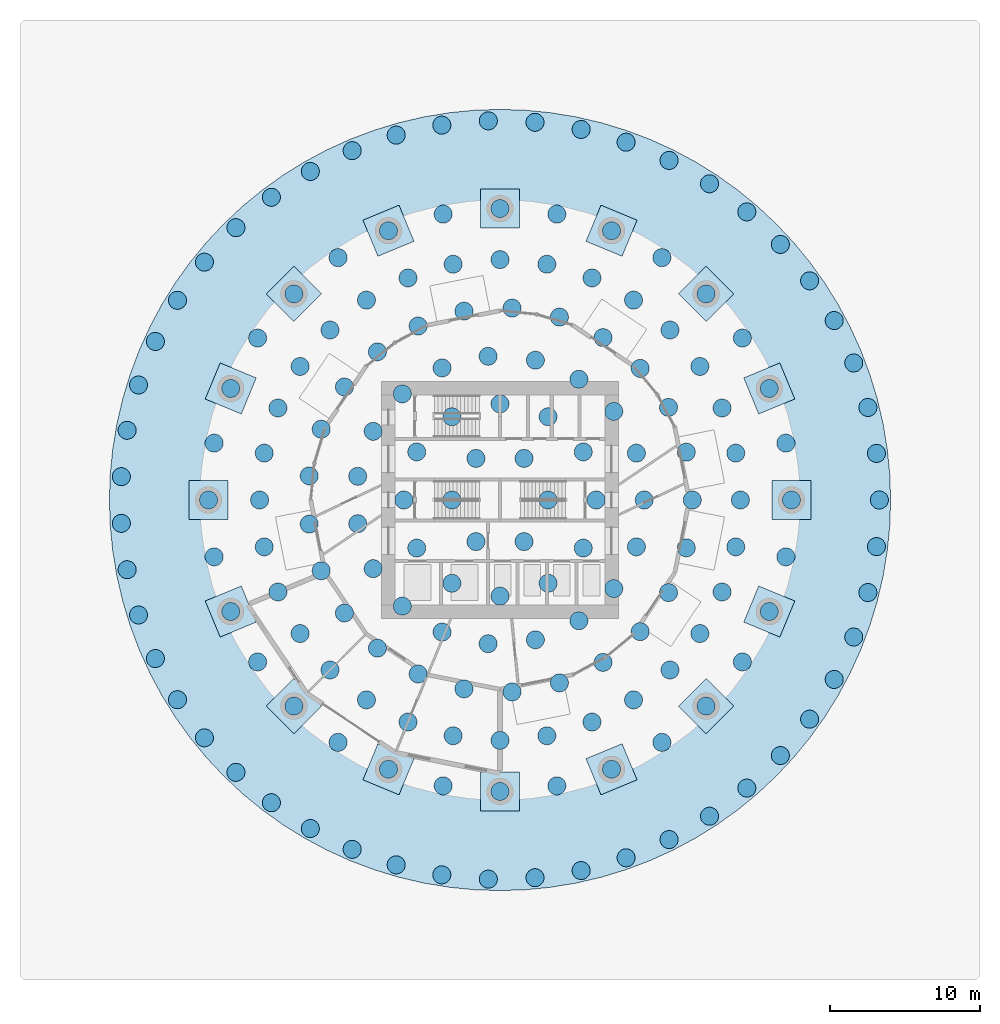
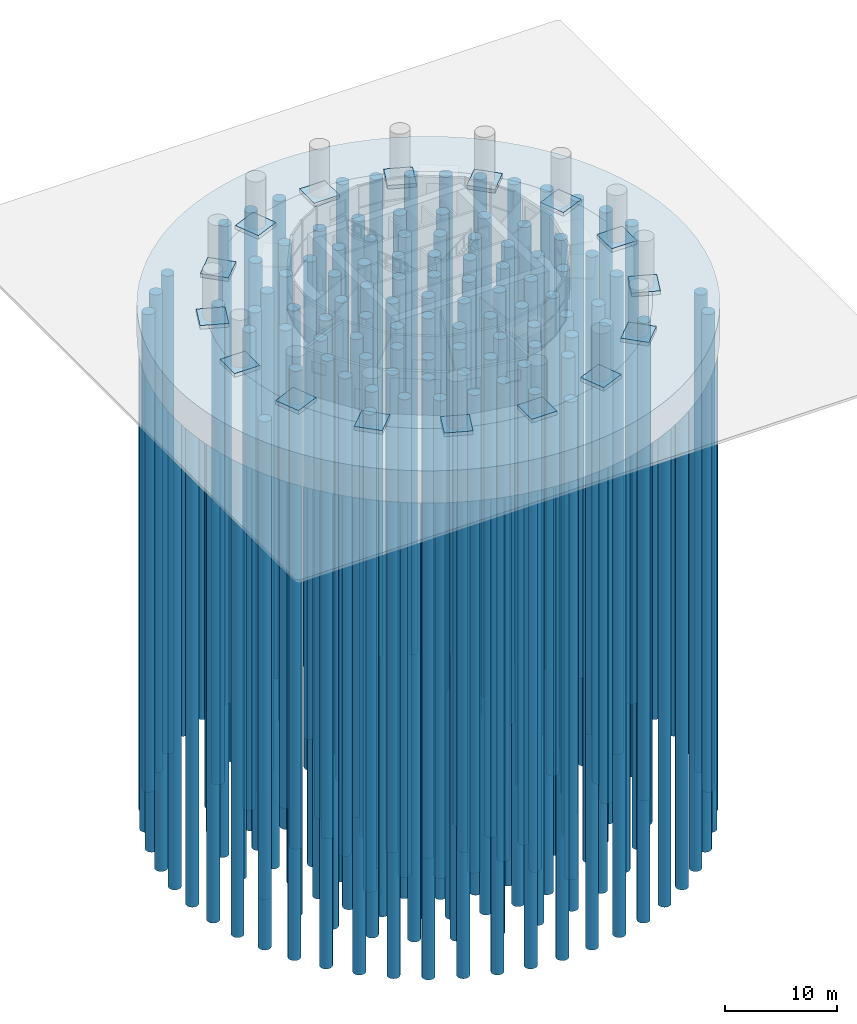
# One storey, part 1 of 10: 177 piles, 17 footings.
"""IFC4 building model written with IfcOpenShell, lengths in metres."""

from ifc_helpers import new_model, si_unit, direction, frame, origin, origin_2d, place, context, subcontext, project, spatial, polyline, circle, outline, extrude, material, material_profile, profile_set, type_object, element, save


model = new_model("IFC4")

# Units and contexts
model_context = context("Model", 3, precision=1e-05, world=origin(), true_north=direction((0.0, 1.0)))
body_context = subcontext(model_context, "Body", "Model", "MODEL_VIEW")
ifc_project = project(units=[si_unit("LENGTHUNIT", "METRE"), si_unit("AREAUNIT", "SQUARE_METRE"), si_unit("VOLUMEUNIT", "CUBIC_METRE"), si_unit("PLANEANGLEUNIT", "RADIAN"), si_unit("MASSUNIT", "GRAM", prefix="KILO")], contexts=[model_context])

# Site, building, storey
site_placement = place(None, origin())
site = spatial("IfcSite", under=ifc_project, at=site_placement, CompositionType="ELEMENT")
building_placement = place(site_placement, origin())
building = spatial("IfcBuilding", under=site, at=building_placement, Name="Polderwave Tower", CompositionType="ELEMENT")
storey_placement = place(building_placement, origin())
storey = spatial("IfcBuildingStorey", under=building, at=storey_placement, Name="L00", CompositionType="ELEMENT", Elevation=0.0)

# Piles
ifc_material_1 = material(Name="Concrete C35/45", Category="concrete")
ifc_material_profile = material_profile(ifc_material_1, circle(Radius=0.60009765625, at=origin_2d()), Name="BORED D1200")
ifc_profile_set = profile_set([ifc_material_profile], Name="Concrete C35/45")
pile_type = type_object("IfcPileType", Name="BORED PILE D1200 C35/45", PredefinedType="BORED", material=ifc_profile_set)
for number, where, z_axis, x_axis, name in (
    (1, (3.199951171875, 0.0, -3.89990234375), (0.0, 0.0, -1.0), (1.0, 0.0, 0.0), "Pile 1"),
    (2, (1.60009765625, 2.771240234375, -3.89990234375), (0.0, 0.0, -1.0), (1.0, 0.0, 0.0), "Pile 2"),
    (3, (-1.60009765625, 2.771240234375, -3.89990234375), (0.0, 0.0, -1.0), (1.0, 0.0, 0.0), "Pile 3"),
    (4, (-3.199951171875, 0.0, -3.89990234375), (0.0, 0.0, -1.0), (1.0, 0.0, 0.0), "Pile 4"),
    (5, (-1.60009765625, -2.771240234375, -3.89990234375), (0.0, 0.0, -1.0), (1.0, 0.0, 0.0), "Pile 5"),
    (6, (1.60009765625, -2.771240234375, -3.89990234375), (0.0, 0.0, -1.0), (1.0, 0.0, 0.0), "Pile 6"),
    (7, (6.39990234375, 0.0, -3.89990234375), (0.0, 0.0, -1.0), (1.0, 0.0, 0.0), "Pile 7"),
    (8, (5.54248046875, 3.199951171875, -3.89990234375), (0.0, 0.0, -1.0), (1.0, 0.0, 0.0), "Pile 8"),
    (9, (3.199951171875, 5.54248046875, -3.89990234375), (0.0, 0.0, -1.0), (1.0, 0.0, 0.0), "Pile 9"),
    (10, (0.0, 6.39990234375, -3.89990234375), (0.0, 0.0, -1.0), (1.0, 0.0, 0.0), "Pile 10"),
    (11, (-3.199951171875, 5.54248046875, -3.89990234375), (0.0, 0.0, -1.0), (1.0, 0.0, 0.0), "Pile 11"),
    (12, (-5.54248046875, 3.199951171875, -3.89990234375), (0.0, 0.0, -1.0), (1.0, 0.0, 0.0), "Pile 12"),
    (13, (-6.39990234375, 0.0, -3.89990234375), (0.0, 0.0, -1.0), (1.0, 0.0, 0.0), "Pile 13"),
    (14, (-5.54248046875, -3.199951171875, -3.89990234375), (0.0, 0.0, -1.0), (1.0, 0.0, 0.0), "Pile 14"),
    (15, (-3.199951171875, -5.54248046875, -3.89990234375), (0.0, 0.0, -1.0), (1.0, 0.0, 0.0), "Pile 15"),
    (16, (0.0, -6.39990234375, -3.89990234375), (0.0, 0.0, -1.0), (1.0, 0.0, 0.0), "Pile 16"),
    (17, (3.199951171875, -5.54248046875, -3.89990234375), (0.0, 0.0, -1.0), (1.0, 0.0, 0.0), "Pile 17"),
    (18, (5.54248046875, -3.199951171875, -3.89990234375), (0.0, 0.0, -1.0), (1.0, 0.0, 0.0), "Pile 18"),
    (19, (9.60009765625, 0.0, -3.89990234375), (0.0, 0.0, -1.0), (1.0, 0.0, 0.0), "Pile 19"),
    (20, (9.079833984375, 3.1171875, -3.89990234375), (0.0, 0.0, -1.0), (1.0, 0.0, 0.0), "Pile 20"),
    (21, (7.57568359375, 5.896484375, -3.89990234375), (0.0, 0.0, -1.0), (1.0, 0.0, 0.0), "Pile 21"),
    (22, (5.250732421875, 8.036865234375, -3.89990234375), (0.0, 0.0, -1.0), (1.0, 0.0, 0.0), "Pile 22"),
    (23, (2.356689453125, 9.30615234375, -3.89990234375), (0.0, 0.0, -1.0), (1.0, 0.0, 0.0), "Pile 23"),
    (24, (-0.792724609375, 9.567138671875, -3.89990234375), (0.0, 0.0, -1.0), (1.0, 0.0, 0.0), "Pile 24"),
    (25, (-3.856201171875, 8.79150390625, -3.89990234375), (0.0, 0.0, -1.0), (1.0, 0.0, 0.0), "Pile 25"),
    (26, (-6.501953125, 7.06298828125, -3.89990234375), (0.0, 0.0, -1.0), (1.0, 0.0, 0.0), "Pile 26"),
    (27, (-8.44287109375, 4.569091796875, -3.89990234375), (0.0, 0.0, -1.0), (1.0, 0.0, 0.0), "Pile 27"),
    (28, (-9.468994140625, 1.580078125, -3.89990234375), (0.0, 0.0, -1.0), (1.0, 0.0, 0.0), "Pile 28"),
    (29, (-9.468994140625, -1.580078125, -3.89990234375), (0.0, 0.0, -1.0), (1.0, 0.0, 0.0), "Pile 29"),
    (30, (-8.44287109375, -4.569091796875, -3.89990234375), (0.0, 0.0, -1.0), (1.0, 0.0, 0.0), "Pile 30"),
    (31, (-6.501953125, -7.06298828125, -3.89990234375), (0.0, 0.0, -1.0), (1.0, 0.0, 0.0), "Pile 31"),
    (32, (-3.856201171875, -8.79150390625, -3.89990234375), (0.0, 0.0, -1.0), (1.0, 0.0, 0.0), "Pile 32"),
    (33, (-0.792724609375, -9.567138671875, -3.89990234375), (0.0, 0.0, -1.0), (1.0, 0.0, 0.0), "Pile 33"),
    (34, (2.356689453125, -9.30615234375, -3.89990234375), (0.0, 0.0, -1.0), (1.0, 0.0, 0.0), "Pile 34"),
    (35, (5.250732421875, -8.036865234375, -3.89990234375), (0.0, 0.0, -1.0), (1.0, 0.0, 0.0), "Pile 35"),
    (36, (7.57568359375, -5.896484375, -3.89990234375), (0.0, 0.0, -1.0), (1.0, 0.0, 0.0), "Pile 36"),
    (37, (9.079833984375, -3.1171875, -3.89990234375), (0.0, 0.0, -1.0), (1.0, 0.0, 0.0), "Pile 37"),
    (38, (12.800048828125, 0.0, -3.89990234375), (0.0, 0.0, -1.0), (1.0, 0.0, 0.0), "Pile 38"),
    (39, (12.39794921875, 3.18310546875, -3.89990234375), (0.0, 0.0, -1.0), (1.0, 0.0, 0.0), "Pile 39"),
    (40, (11.216796875, 6.16650390625, -3.89990234375), (0.0, 0.0, -1.0), (1.0, 0.0, 0.0), "Pile 40"),
    (41, (9.330810546875, 8.76220703125, -3.89990234375), (0.0, 0.0, -1.0), (1.0, 0.0, 0.0), "Pile 41"),
    (42, (6.858642578125, 10.807373046875, -3.89990234375), (0.0, 0.0, -1.0), (1.0, 0.0, 0.0), "Pile 42"),
    (43, (3.955322265625, 12.173583984375, -3.89990234375), (0.0, 0.0, -1.0), (1.0, 0.0, 0.0), "Pile 43"),
    (44, (0.8037109375, 12.774658203125, -3.89990234375), (0.0, 0.0, -1.0), (1.0, 0.0, 0.0), "Pile 44"),
    (45, (-2.3984375, 12.5732421875, -3.89990234375), (0.0, 0.0, -1.0), (1.0, 0.0, 0.0), "Pile 45"),
    (46, (-5.449951171875, 11.581787109375, -3.89990234375), (0.0, 0.0, -1.0), (1.0, 0.0, 0.0), "Pile 46"),
    (47, (-8.158935546875, 9.862548828125, -3.89990234375), (0.0, 0.0, -1.0), (1.0, 0.0, 0.0), "Pile 47"),
    (48, (-10.35546875, 7.523681640625, -3.89990234375), (0.0, 0.0, -1.0), (1.0, 0.0, 0.0), "Pile 48"),
    (49, (-11.901123046875, 4.7119140625, -3.89990234375), (0.0, 0.0, -1.0), (1.0, 0.0, 0.0), "Pile 49"),
    (50, (-12.69921875, 1.604248046875, -3.89990234375), (0.0, 0.0, -1.0), (1.0, 0.0, 0.0), "Pile 50"),
    (51, (-12.69921875, -1.604248046875, -3.89990234375), (0.0, 0.0, -1.0), (1.0, 0.0, 0.0), "Pile 51"),
    (52, (-11.901123046875, -4.7119140625, -3.89990234375), (0.0, 0.0, -1.0), (1.0, 0.0, 0.0), "Pile 52"),
    (53, (-10.35546875, -7.523681640625, -3.89990234375), (0.0, 0.0, -1.0), (1.0, 0.0, 0.0), "Pile 53"),
    (54, (-8.158935546875, -9.862548828125, -3.89990234375), (0.0, 0.0, -1.0), (1.0, 0.0, 0.0), "Pile 54"),
    (55, (-5.449951171875, -11.581787109375, -3.89990234375), (0.0, 0.0, -1.0), (1.0, 0.0, 0.0), "Pile 55"),
    (56, (-2.3984375, -12.5732421875, -3.89990234375), (0.0, 0.0, -1.0), (1.0, 0.0, 0.0), "Pile 56"),
    (57, (0.8037109375, -12.774658203125, -3.89990234375), (0.0, 0.0, -1.0), (1.0, 0.0, 0.0), "Pile 57"),
    (58, (3.955322265625, -12.173583984375, -3.89990234375), (0.0, 0.0, -1.0), (1.0, 0.0, 0.0), "Pile 58"),
    (59, (6.858642578125, -10.807373046875, -3.89990234375), (0.0, 0.0, -1.0), (1.0, 0.0, 0.0), "Pile 59"),
    (60, (9.330810546875, -8.76220703125, -3.89990234375), (0.0, 0.0, -1.0), (1.0, 0.0, 0.0), "Pile 60"),
    (61, (11.216796875, -6.16650390625, -3.89990234375), (0.0, 0.0, -1.0), (1.0, 0.0, 0.0), "Pile 61"),
    (62, (12.39794921875, -3.18310546875, -3.89990234375), (0.0, 0.0, -1.0), (1.0, 0.0, 0.0), "Pile 62"),
    (63, (16.0, 0.0, -3.89990234375), (0.0, 0.0, -1.0), (1.0, 0.0, 0.0), "Pile 63"),
    (64, (15.692626953125, 3.121337890625, -3.89990234375), (0.0, 0.0, -1.0), (1.0, 0.0, 0.0), "Pile 64"),
    (65, (14.781982421875, 6.122802734375, -3.89990234375), (0.0, 0.0, -1.0), (1.0, 0.0, 0.0), "Pile 65"),
    (66, (13.303466796875, 8.88916015625, -3.89990234375), (0.0, 0.0, -1.0), (1.0, 0.0, 0.0), "Pile 66"),
    (67, (11.313720703125, 11.313720703125, -3.89990234375), (0.0, 0.0, -1.0), (1.0, 0.0, 0.0), "Pile 67"),
    (68, (8.88916015625, 13.303466796875, -3.89990234375), (0.0, 0.0, -1.0), (1.0, 0.0, 0.0), "Pile 68"),
    (69, (6.122802734375, 14.781982421875, -3.89990234375), (0.0, 0.0, -1.0), (1.0, 0.0, 0.0), "Pile 69"),
    (70, (3.121337890625, 15.692626953125, -3.89990234375), (0.0, 0.0, -1.0), (1.0, 0.0, 0.0), "Pile 70"),
    (71, (0.0, 16.0, -3.89990234375), (0.0, 0.0, -1.0), (1.0, 0.0, 0.0), "Pile 71"),
    (72, (-3.121337890625, 15.692626953125, -3.89990234375), (0.0, 0.0, -1.0), (1.0, 0.0, 0.0), "Pile 72"),
    (73, (-6.122802734375, 14.781982421875, -3.89990234375), (0.0, 0.0, -1.0), (1.0, 0.0, 0.0), "Pile 73"),
    (74, (-8.88916015625, 13.303466796875, -3.89990234375), (0.0, 0.0, -1.0), (1.0, 0.0, 0.0), "Pile 74"),
    (75, (-11.313720703125, 11.313720703125, -3.89990234375), (0.0, 0.0, -1.0), (1.0, 0.0, 0.0), "Pile 75"),
    (76, (-13.303466796875, 8.88916015625, -3.89990234375), (0.0, 0.0, -1.0), (1.0, 0.0, 0.0), "Pile 76"),
    (77, (-14.781982421875, 6.122802734375, -3.89990234375), (0.0, 0.0, -1.0), (1.0, 0.0, 0.0), "Pile 77"),
    (78, (-15.692626953125, 3.121337890625, -3.89990234375), (0.0, 0.0, -1.0), (1.0, 0.0, 0.0), "Pile 78"),
    (79, (-16.0, 0.0, -3.89990234375), (0.0, 0.0, -1.0), (1.0, 0.0, 0.0), "Pile 79"),
    (80, (-15.692626953125, -3.121337890625, -3.89990234375), (0.0, 0.0, -1.0), (1.0, 0.0, 0.0), "Pile 80"),
    (81, (-14.781982421875, -6.122802734375, -3.89990234375), (0.0, 0.0, -1.0), (1.0, 0.0, 0.0), "Pile 81"),
    (82, (-13.303466796875, -8.88916015625, -3.89990234375), (0.0, 0.0, -1.0), (1.0, 0.0, 0.0), "Pile 82"),
    (83, (-11.313720703125, -11.313720703125, -3.89990234375), (0.0, 0.0, -1.0), (1.0, 0.0, 0.0), "Pile 83"),
    (84, (-8.88916015625, -13.303466796875, -3.89990234375), (0.0, 0.0, -1.0), (1.0, 0.0, 0.0), "Pile 84"),
    (85, (-6.122802734375, -14.781982421875, -3.89990234375), (0.0, 0.0, -1.0), (1.0, 0.0, 0.0), "Pile 85"),
    (86, (-3.121337890625, -15.692626953125, -3.89990234375), (0.0, 0.0, -1.0), (1.0, 0.0, 0.0), "Pile 86"),
    (87, (0.0, -16.0, -3.89990234375), (0.0, 0.0, -1.0), (1.0, 0.0, 0.0), "Pile 87"),
    (88, (3.121337890625, -15.692626953125, -3.89990234375), (0.0, 0.0, -1.0), (1.0, 0.0, 0.0), "Pile 88"),
    (89, (6.122802734375, -14.781982421875, -3.89990234375), (0.0, 0.0, -1.0), (1.0, 0.0, 0.0), "Pile 89"),
    (90, (8.88916015625, -13.303466796875, -3.89990234375), (0.0, 0.0, -1.0), (1.0, 0.0, 0.0), "Pile 90"),
    (91, (11.313720703125, -11.313720703125, -3.89990234375), (0.0, 0.0, -1.0), (1.0, 0.0, 0.0), "Pile 91"),
    (92, (13.303466796875, -8.88916015625, -3.89990234375), (0.0, 0.0, -1.0), (1.0, 0.0, 0.0), "Pile 92"),
    (93, (14.781982421875, -6.122802734375, -3.89990234375), (0.0, 0.0, -1.0), (1.0, 0.0, 0.0), "Pile 93"),
    (94, (15.692626953125, -3.121337890625, -3.89990234375), (0.0, 0.0, -1.0), (1.0, 0.0, 0.0), "Pile 94"),
    (95, (19.39990234375, 0.0, -3.89990234375), (0.0, 0.0, -1.0), (1.0, 0.0, 0.0), "Pile 95"),
    (96, (19.027099609375, 3.784912109375, -3.89990234375), (0.0, 0.0, -1.0), (1.0, 0.0, 0.0), "Pile 96"),
    (97, (17.92333984375, 7.424072265625, -3.89990234375), (0.0, 0.0, -1.0), (1.0, 0.0, 0.0), "Pile 97"),
    (98, (16.130615234375, 10.778076171875, -3.89990234375), (0.0, 0.0, -1.0), (1.0, 0.0, 0.0), "Pile 98"),
    (99, (13.718017578125, 13.718017578125, -3.89990234375), (0.0, 0.0, -1.0), (1.0, 0.0, 0.0), "Pile 99"),
    (100, (10.778076171875, 16.130615234375, -3.89990234375), (0.0, 0.0, -1.0), (1.0, 0.0, 0.0), "Pile 100"),
    (101, (7.424072265625, 17.92333984375, -3.89990234375), (0.0, 0.0, -1.0), (1.0, 0.0, 0.0), "Pile 101"),
    (102, (3.784912109375, 19.027099609375, -3.89990234375), (0.0, 0.0, -1.0), (1.0, 0.0, 0.0), "Pile 102"),
    (103, (0.0, 19.39990234375, -3.89990234375), (0.0, 0.0, -1.0), (1.0, 0.0, 0.0), "Pile 103"),
    (104, (-3.784912109375, 19.027099609375, -3.89990234375), (0.0, 0.0, -1.0), (1.0, 0.0, 0.0), "Pile 104"),
    (105, (-7.424072265625, 17.92333984375, -3.89990234375), (0.0, 0.0, -1.0), (1.0, 0.0, 0.0), "Pile 105"),
    (106, (-10.778076171875, 16.130615234375, -3.89990234375), (0.0, 0.0, -1.0), (1.0, 0.0, 0.0), "Pile 106"),
    (107, (-13.718017578125, 13.718017578125, -3.89990234375), (0.0, 0.0, -1.0), (1.0, 0.0, 0.0), "Pile 107"),
    (108, (-16.130615234375, 10.778076171875, -3.89990234375), (0.0, 0.0, -1.0), (1.0, 0.0, 0.0), "Pile 108"),
    (109, (-17.92333984375, 7.424072265625, -3.89990234375), (0.0, 0.0, -1.0), (1.0, 0.0, 0.0), "Pile 109"),
    (110, (-19.027099609375, 3.784912109375, -3.89990234375), (0.0, 0.0, -1.0), (1.0, 0.0, 0.0), "Pile 110"),
    (111, (-19.39990234375, 0.0, -3.89990234375), (0.0, 0.0, -1.0), (1.0, 0.0, 0.0), "Pile 111"),
    (112, (-19.027099609375, -3.784912109375, -3.89990234375), (0.0, 0.0, -1.0), (1.0, 0.0, 0.0), "Pile 112"),
    (113, (-17.92333984375, -7.424072265625, -3.89990234375), (0.0, 0.0, -1.0), (1.0, 0.0, 0.0), "Pile 113"),
    (114, (-16.130615234375, -10.778076171875, -3.89990234375), (0.0, 0.0, -1.0), (1.0, 0.0, 0.0), "Pile 114"),
    (115, (-13.718017578125, -13.718017578125, -3.89990234375), (0.0, 0.0, -1.0), (1.0, 0.0, 0.0), "Pile 115"),
    (116, (-10.778076171875, -16.130615234375, -3.89990234375), (0.0, 0.0, -1.0), (1.0, 0.0, 0.0), "Pile 116"),
    (117, (-7.424072265625, -17.92333984375, -3.89990234375), (0.0, 0.0, -1.0), (1.0, 0.0, 0.0), "Pile 117"),
    (118, (-3.784912109375, -19.027099609375, -3.89990234375), (0.0, 0.0, -1.0), (1.0, 0.0, 0.0), "Pile 118"),
    (119, (0.0, -19.39990234375, -3.89990234375), (0.0, 0.0, -1.0), (1.0, 0.0, 0.0), "Pile 119"),
    (120, (3.784912109375, -19.027099609375, -3.89990234375), (0.0, 0.0, -1.0), (1.0, 0.0, 0.0), "Pile 120"),
    (121, (7.424072265625, -17.92333984375, -3.89990234375), (0.0, 0.0, -1.0), (1.0, 0.0, 0.0), "Pile 121"),
    (122, (10.778076171875, -16.130615234375, -3.89990234375), (0.0, 0.0, -1.0), (1.0, 0.0, 0.0), "Pile 122"),
    (123, (13.718017578125, -13.718017578125, -3.89990234375), (0.0, 0.0, -1.0), (1.0, 0.0, 0.0), "Pile 123"),
    (124, (16.130615234375, -10.778076171875, -3.89990234375), (0.0, 0.0, -1.0), (1.0, 0.0, 0.0), "Pile 124"),
    (125, (17.92333984375, -7.424072265625, -3.89990234375), (0.0, 0.0, -1.0), (1.0, 0.0, 0.0), "Pile 125"),
    (126, (19.027099609375, -3.784912109375, -3.89990234375), (0.0, 0.0, -1.0), (1.0, 0.0, 0.0), "Pile 126"),
    (127, (25.25, 0.0, -3.89990234375), (0.0, 0.0, -1.0), (1.0, 0.0, 0.0), "Pile 127"),
    (128, (25.05859375, 3.102783203125, -3.89990234375), (0.0, 0.0, -1.0), (1.0, 0.0, 0.0), "Pile 128"),
    (129, (24.4873046875, 6.15869140625, -3.89990234375), (0.0, 0.0, -1.0), (1.0, 0.0, 0.0), "Pile 129"),
    (130, (23.544921875, 9.121337890625, -3.89990234375), (0.0, 0.0, -1.0), (1.0, 0.0, 0.0), "Pile 130"),
    (131, (22.24560546875, 11.945556640625, -3.89990234375), (0.0, 0.0, -1.0), (1.0, 0.0, 0.0), "Pile 131"),
    (132, (20.60888671875, 14.5888671875, -3.89990234375), (0.0, 0.0, -1.0), (1.0, 0.0, 0.0), "Pile 132"),
    (133, (18.659912109375, 17.0107421875, -3.89990234375), (0.0, 0.0, -1.0), (1.0, 0.0, 0.0), "Pile 133"),
    (134, (16.427978515625, 19.175048828125, -3.89990234375), (0.0, 0.0, -1.0), (1.0, 0.0, 0.0), "Pile 134"),
    (135, (13.947265625, 21.048583984375, -3.89990234375), (0.0, 0.0, -1.0), (1.0, 0.0, 0.0), "Pile 135"),
    (136, (11.2548828125, 22.602783203125, -3.89990234375), (0.0, 0.0, -1.0), (1.0, 0.0, 0.0), "Pile 136"),
    (137, (8.39208984375, 23.814697265625, -3.89990234375), (0.0, 0.0, -1.0), (1.0, 0.0, 0.0), "Pile 137"),
    (138, (5.40185546875, 24.665283203125, -3.89990234375), (0.0, 0.0, -1.0), (1.0, 0.0, 0.0), "Pile 138"),
    (139, (2.329833984375, 25.142333984375, -3.89990234375), (0.0, 0.0, -1.0), (1.0, 0.0, 0.0), "Pile 139"),
    (140, (-0.777587890625, 25.238037109375, -3.89990234375), (0.0, 0.0, -1.0), (1.0, 0.0, 0.0), "Pile 140"),
    (141, (-3.873046875, 24.951171875, -3.89990234375), (0.0, 0.0, -1.0), (1.0, 0.0, 0.0), "Pile 141"),
    (142, (-6.909912109375, 24.2861328125, -3.89990234375), (0.0, 0.0, -1.0), (1.0, 0.0, 0.0), "Pile 142"),
    (143, (-9.842041015625, 23.2529296875, -3.89990234375), (0.0, 0.0, -1.0), (1.0, 0.0, 0.0), "Pile 143"),
    (144, (-12.625, 21.8671875, -3.89990234375), (0.0, 0.0, -1.0), (1.0, 0.0, 0.0), "Pile 144"),
    (145, (-15.216552734375, 20.14990234375, -3.89990234375), (0.0, 0.0, -1.0), (1.0, 0.0, 0.0), "Pile 145"),
    (146, (-17.577392578125, 18.127197265625, -3.89990234375), (0.0, 0.0, -1.0), (1.0, 0.0, 0.0), "Pile 146"),
    (147, (-19.671875, 15.829833984375, -3.89990234375), (0.0, 0.0, -1.0), (1.0, 0.0, 0.0), "Pile 147"),
    (148, (-21.468017578125, 13.29248046875, -3.89990234375), (0.0, 0.0, -1.0), (1.0, 0.0, 0.0), "Pile 148"),
    (149, (-22.938720703125, 10.553466796875, -3.89990234375), (0.0, 0.0, -1.0), (1.0, 0.0, 0.0), "Pile 149"),
    (150, (-24.061767578125, 7.654541015625, -3.89990234375), (0.0, 0.0, -1.0), (1.0, 0.0, 0.0), "Pile 150"),
    (151, (-24.820068359375, 4.6396484375, -3.89990234375), (0.0, 0.0, -1.0), (1.0, 0.0, 0.0), "Pile 151"),
    (152, (-25.2021484375, 1.554443359375, -3.89990234375), (0.0, 0.0, -1.0), (1.0, 0.0, 0.0), "Pile 152"),
    (153, (-25.2021484375, -1.554443359375, -3.89990234375), (0.0, 0.0, -1.0), (1.0, 0.0, 0.0), "Pile 153"),
    (154, (-24.820068359375, -4.6396484375, -3.89990234375), (0.0, 0.0, -1.0), (1.0, 0.0, 0.0), "Pile 154"),
    (155, (-24.061767578125, -7.654541015625, -3.89990234375), (0.0, 0.0, -1.0), (1.0, 0.0, 0.0), "Pile 155"),
    (156, (-22.938720703125, -10.553466796875, -3.89990234375), (0.0, 0.0, -1.0), (1.0, 0.0, 0.0), "Pile 156"),
    (157, (-21.468017578125, -13.29248046875, -3.89990234375), (0.0, 0.0, -1.0), (1.0, 0.0, 0.0), "Pile 157"),
    (158, (-19.671875, -15.829833984375, -3.89990234375), (0.0, 0.0, -1.0), (1.0, 0.0, 0.0), "Pile 158"),
    (159, (-17.577392578125, -18.127197265625, -3.89990234375), (0.0, 0.0, -1.0), (1.0, 0.0, 0.0), "Pile 159"),
    (160, (-15.216552734375, -20.14990234375, -3.89990234375), (0.0, 0.0, -1.0), (1.0, 0.0, 0.0), "Pile 160"),
    (161, (-12.625, -21.8671875, -3.89990234375), (0.0, 0.0, -1.0), (1.0, 0.0, 0.0), "Pile 161"),
    (162, (-9.842041015625, -23.2529296875, -3.89990234375), (0.0, 0.0, -1.0), (1.0, 0.0, 0.0), "Pile 162"),
    (163, (-6.909912109375, -24.2861328125, -3.89990234375), (0.0, 0.0, -1.0), (1.0, 0.0, 0.0), "Pile 163"),
    (164, (-3.873046875, -24.951171875, -3.89990234375), (0.0, 0.0, -1.0), (1.0, 0.0, 0.0), "Pile 164"),
    (165, (-0.777587890625, -25.238037109375, -3.89990234375), (0.0, 0.0, -1.0), (1.0, 0.0, 0.0), "Pile 165"),
    (166, (2.329833984375, -25.142333984375, -3.89990234375), (0.0, 0.0, -1.0), (1.0, 0.0, 0.0), "Pile 166"),
    (167, (5.40185546875, -24.665283203125, -3.89990234375), (0.0, 0.0, -1.0), (1.0, 0.0, 0.0), "Pile 167"),
    (168, (8.39208984375, -23.814697265625, -3.89990234375), (0.0, 0.0, -1.0), (1.0, 0.0, 0.0), "Pile 168"),
    (169, (11.2548828125, -22.602783203125, -3.89990234375), (0.0, 0.0, -1.0), (1.0, 0.0, 0.0), "Pile 169"),
    (170, (13.947265625, -21.048583984375, -3.89990234375), (0.0, 0.0, -1.0), (1.0, 0.0, 0.0), "Pile 170"),
    (171, (16.427978515625, -19.175048828125, -3.89990234375), (0.0, 0.0, -1.0), (1.0, 0.0, 0.0), "Pile 171"),
    (172, (18.659912109375, -17.0107421875, -3.89990234375), (0.0, 0.0, -1.0), (1.0, 0.0, 0.0), "Pile 172"),
    (173, (20.60888671875, -14.5888671875, -3.89990234375), (0.0, 0.0, -1.0), (1.0, 0.0, 0.0), "Pile 173"),
    (174, (22.24560546875, -11.945556640625, -3.89990234375), (0.0, 0.0, -1.0), (1.0, 0.0, 0.0), "Pile 174"),
    (175, (23.544921875, -9.121337890625, -3.89990234375), (0.0, 0.0, -1.0), (1.0, 0.0, 0.0), "Pile 175"),
    (176, (24.4873046875, -6.15869140625, -3.89990234375), (0.0, 0.0, -1.0), (1.0, 0.0, 0.0), "Pile 176"),
    (177, (25.05859375, -3.102783203125, -3.89990234375), (0.0, 0.0, -1.0), (1.0, 0.0, 0.0), "Pile 177"),
):
    element("IfcPile", number, at=place(storey_placement, frame(where, z_axis=z_axis, x_axis=x_axis)), inside=storey, type_object=pile_type, Name=name, PredefinedType="BORED", context=body_context, shape_type="SweptSolid", body=[
        extrude(circle(Radius=0.60009765625, at=origin_2d()), origin(), (0.0, 0.0, 1.0), 52.0),
    ])

# Footings
ifc_material_2 = material(Name="Concrete C40/50", Category="concrete")
footing_type_1 = type_object("IfcFootingType", Name="COLUMN PEDESTAL 2600 C40/50", PredefinedType="PAD_FOOTING", material=ifc_material_2)
footing_1_placement = place(storey_placement, frame((0.0, 0.0, -0.39990234375)))
element("IfcFooting", 178, at=footing_1_placement, inside=storey, type_object=footing_type_1, Name="Column pedestal 01", PredefinedType="PAD_FOOTING", context=body_context, shape_type="SweptSolid", body=[
    extrude(outline(polyline([(18.10009765625, -1.300048828125), (20.699951171875, -1.300048828125), (20.699951171875, 1.300048828125), (18.10009765625, 1.300048828125), (18.10009765625, -1.300048828125)])), origin(), (0.0, 0.0, 1.0), 0.39990234375),
])
footing_2_placement = place(storey_placement, frame((0.0, 0.0, -0.39990234375)))
element("IfcFooting", 179, at=footing_2_placement, inside=storey, type_object=footing_type_1, Name="Column pedestal 02", PredefinedType="PAD_FOOTING", context=body_context, shape_type="SweptSolid", body=[
    extrude(outline(polyline([(17.2197265625, 5.7255859375), (19.621826171875, 6.720458984375), (18.626708984375, 9.12255859375), (16.224609375, 8.127685546875), (17.2197265625, 5.7255859375)])), origin(), (0.0, 0.0, 1.0), 0.39990234375),
])
footing_3_placement = place(storey_placement, frame((0.0, 0.0, -0.39990234375)))
element("IfcFooting", 180, at=footing_3_placement, inside=storey, type_object=footing_type_1, Name="Column pedestal 03", PredefinedType="PAD_FOOTING", context=body_context, shape_type="SweptSolid", body=[
    extrude(outline(polyline([(13.718017578125, 11.87939453125), (15.556396484375, 13.718017578125), (13.718017578125, 15.556396484375), (11.87939453125, 13.718017578125), (13.718017578125, 11.87939453125)])), origin(), (0.0, 0.0, 1.0), 0.39990234375),
])
footing_4_placement = place(storey_placement, frame((0.0, 0.0, -0.39990234375)))
element("IfcFooting", 181, at=footing_4_placement, inside=storey, type_object=footing_type_1, Name="Column pedestal 04", PredefinedType="PAD_FOOTING", context=body_context, shape_type="SweptSolid", body=[
    extrude(outline(polyline([(8.127685546875, 16.224609375), (9.12255859375, 18.626708984375), (6.720458984375, 19.621826171875), (5.7255859375, 17.2197265625), (8.127685546875, 16.224609375)])), origin(), (0.0, 0.0, 1.0), 0.39990234375),
])
footing_5_placement = place(storey_placement, frame((0.0, 0.0, -0.39990234375)))
element("IfcFooting", 182, at=footing_5_placement, inside=storey, type_object=footing_type_1, Name="Column pedestal 05", PredefinedType="PAD_FOOTING", context=body_context, shape_type="SweptSolid", body=[
    extrude(outline(polyline([(1.300048828125, 18.10009765625), (1.300048828125, 20.699951171875), (-1.300048828125, 20.699951171875), (-1.300048828125, 18.10009765625), (1.300048828125, 18.10009765625)])), origin(), (0.0, 0.0, 1.0), 0.39990234375),
])
footing_6_placement = place(storey_placement, frame((0.0, 0.0, -0.39990234375)))
element("IfcFooting", 183, at=footing_6_placement, inside=storey, type_object=footing_type_1, Name="Column pedestal 06", PredefinedType="PAD_FOOTING", context=body_context, shape_type="SweptSolid", body=[
    extrude(outline(polyline([(-5.7255859375, 17.2197265625), (-6.720458984375, 19.621826171875), (-9.12255859375, 18.626708984375), (-8.127685546875, 16.224609375), (-5.7255859375, 17.2197265625)])), origin(), (0.0, 0.0, 1.0), 0.39990234375),
])
footing_7_placement = place(storey_placement, frame((0.0, 0.0, -0.39990234375)))
element("IfcFooting", 184, at=footing_7_placement, inside=storey, type_object=footing_type_1, Name="Column pedestal 07", PredefinedType="PAD_FOOTING", context=body_context, shape_type="SweptSolid", body=[
    extrude(outline(polyline([(-11.87939453125, 13.718017578125), (-13.718017578125, 15.556396484375), (-15.556396484375, 13.718017578125), (-13.718017578125, 11.87939453125), (-11.87939453125, 13.718017578125)])), origin(), (0.0, 0.0, 1.0), 0.39990234375),
])
footing_8_placement = place(storey_placement, frame((0.0, 0.0, -0.39990234375)))
element("IfcFooting", 185, at=footing_8_placement, inside=storey, type_object=footing_type_1, Name="Column pedestal 08", PredefinedType="PAD_FOOTING", context=body_context, shape_type="SweptSolid", body=[
    extrude(outline(polyline([(-16.224609375, 8.127685546875), (-18.626708984375, 9.12255859375), (-19.621826171875, 6.720458984375), (-17.2197265625, 5.7255859375), (-16.224609375, 8.127685546875)])), origin(), (0.0, 0.0, 1.0), 0.39990234375),
])
footing_9_placement = place(storey_placement, frame((0.0, 0.0, -0.39990234375)))
element("IfcFooting", 186, at=footing_9_placement, inside=storey, type_object=footing_type_1, Name="Column pedestal 09", PredefinedType="PAD_FOOTING", context=body_context, shape_type="SweptSolid", body=[
    extrude(outline(polyline([(-18.10009765625, 1.300048828125), (-20.699951171875, 1.300048828125), (-20.699951171875, -1.300048828125), (-18.10009765625, -1.300048828125), (-18.10009765625, 1.300048828125)])), origin(), (0.0, 0.0, 1.0), 0.39990234375),
])
footing_10_placement = place(storey_placement, frame((0.0, 0.0, -0.39990234375)))
element("IfcFooting", 187, at=footing_10_placement, inside=storey, type_object=footing_type_1, Name="Column pedestal 10", PredefinedType="PAD_FOOTING", context=body_context, shape_type="SweptSolid", body=[
    extrude(outline(polyline([(-17.2197265625, -5.7255859375), (-19.621826171875, -6.720458984375), (-18.626708984375, -9.12255859375), (-16.224609375, -8.127685546875), (-17.2197265625, -5.7255859375)])), origin(), (0.0, 0.0, 1.0), 0.39990234375),
])
footing_11_placement = place(storey_placement, frame((0.0, 0.0, -0.39990234375)))
element("IfcFooting", 188, at=footing_11_placement, inside=storey, type_object=footing_type_1, Name="Column pedestal 11", PredefinedType="PAD_FOOTING", context=body_context, shape_type="SweptSolid", body=[
    extrude(outline(polyline([(-13.718017578125, -11.87939453125), (-15.556396484375, -13.718017578125), (-13.718017578125, -15.556396484375), (-11.87939453125, -13.718017578125), (-13.718017578125, -11.87939453125)])), origin(), (0.0, 0.0, 1.0), 0.39990234375),
])
footing_12_placement = place(storey_placement, frame((0.0, 0.0, -0.39990234375)))
element("IfcFooting", 189, at=footing_12_placement, inside=storey, type_object=footing_type_1, Name="Column pedestal 12", PredefinedType="PAD_FOOTING", context=body_context, shape_type="SweptSolid", body=[
    extrude(outline(polyline([(-8.127685546875, -16.224609375), (-9.12255859375, -18.626708984375), (-6.720458984375, -19.621826171875), (-5.7255859375, -17.2197265625), (-8.127685546875, -16.224609375)])), origin(), (0.0, 0.0, 1.0), 0.39990234375),
])
footing_13_placement = place(storey_placement, frame((0.0, 0.0, -0.39990234375)))
element("IfcFooting", 190, at=footing_13_placement, inside=storey, type_object=footing_type_1, Name="Column pedestal 13", PredefinedType="PAD_FOOTING", context=body_context, shape_type="SweptSolid", body=[
    extrude(outline(polyline([(-1.300048828125, -18.10009765625), (-1.300048828125, -20.699951171875), (1.300048828125, -20.699951171875), (1.300048828125, -18.10009765625), (-1.300048828125, -18.10009765625)])), origin(), (0.0, 0.0, 1.0), 0.39990234375),
])
footing_14_placement = place(storey_placement, frame((0.0, 0.0, -0.39990234375)))
element("IfcFooting", 191, at=footing_14_placement, inside=storey, type_object=footing_type_1, Name="Column pedestal 14", PredefinedType="PAD_FOOTING", context=body_context, shape_type="SweptSolid", body=[
    extrude(outline(polyline([(5.7255859375, -17.2197265625), (6.720458984375, -19.621826171875), (9.12255859375, -18.626708984375), (8.127685546875, -16.224609375), (5.7255859375, -17.2197265625)])), origin(), (0.0, 0.0, 1.0), 0.39990234375),
])
footing_15_placement = place(storey_placement, frame((0.0, 0.0, -0.39990234375)))
element("IfcFooting", 192, at=footing_15_placement, inside=storey, type_object=footing_type_1, Name="Column pedestal 15", PredefinedType="PAD_FOOTING", context=body_context, shape_type="SweptSolid", body=[
    extrude(outline(polyline([(11.87939453125, -13.718017578125), (13.718017578125, -15.556396484375), (15.556396484375, -13.718017578125), (13.718017578125, -11.87939453125), (11.87939453125, -13.718017578125)])), origin(), (0.0, 0.0, 1.0), 0.39990234375),
])
footing_16_placement = place(storey_placement, frame((0.0, 0.0, -0.39990234375)))
element("IfcFooting", 193, at=footing_16_placement, inside=storey, type_object=footing_type_1, Name="Column pedestal 16", PredefinedType="PAD_FOOTING", context=body_context, shape_type="SweptSolid", body=[
    extrude(outline(polyline([(16.224609375, -8.127685546875), (18.626708984375, -9.12255859375), (19.621826171875, -6.720458984375), (17.2197265625, -5.7255859375), (16.224609375, -8.127685546875)])), origin(), (0.0, 0.0, 1.0), 0.39990234375),
])
footing_type_2 = type_object("IfcFootingType", Name="PILED RAFT 3500 C40/50", PredefinedType="PILE_CAP", material=ifc_material_2)
footing_17_placement = place(storey_placement, frame((0.0, 0.0, -3.89990234375)))
element("IfcFooting", 194, at=footing_17_placement, inside=storey, type_object=footing_type_2, Name="ST-RAFT", PredefinedType="PILE_CAP", context=body_context, shape_type="SweptSolid", body=[
    extrude(outline(polyline([(26.0, 0.0), (25.9443359375, 1.700439453125), (25.777587890625, 3.393798828125), (25.50048828125, 5.072265625), (25.114013671875, 6.729248046875), (24.6201171875, 8.357421875), (24.02099609375, 9.94970703125), (23.318603515625, 11.49951171875), (22.5166015625, 13.0), (21.6181640625, 14.44482421875), (20.627197265625, 15.827880859375), (19.5478515625, 17.14306640625), (18.384765625, 18.384765625), (17.14306640625, 19.5478515625), (15.827880859375, 20.627197265625), (14.44482421875, 21.6181640625), (13.0, 22.5166015625), (11.49951171875, 23.318603515625), (9.94970703125, 24.02099609375), (8.357421875, 24.6201171875), (6.729248046875, 25.114013671875), (5.072265625, 25.50048828125), (3.393798828125, 25.777587890625), (1.700439453125, 25.9443359375), (0.0, 26.0), (-1.700439453125, 25.9443359375), (-3.393798828125, 25.777587890625), (-5.072265625, 25.50048828125), (-6.729248046875, 25.114013671875), (-8.357421875, 24.6201171875), (-9.94970703125, 24.02099609375), (-11.49951171875, 23.318603515625), (-13.0, 22.5166015625), (-14.44482421875, 21.6181640625), (-15.827880859375, 20.627197265625), (-17.14306640625, 19.5478515625), (-18.384765625, 18.384765625), (-19.5478515625, 17.14306640625), (-20.627197265625, 15.827880859375), (-21.6181640625, 14.44482421875), (-22.5166015625, 13.0), (-23.318603515625, 11.49951171875), (-24.02099609375, 9.94970703125), (-24.6201171875, 8.357421875), (-25.114013671875, 6.729248046875), (-25.50048828125, 5.072265625), (-25.777587890625, 3.393798828125), (-25.9443359375, 1.700439453125), (-26.0, 0.0), (-25.9443359375, -1.700439453125), (-25.777587890625, -3.393798828125), (-25.50048828125, -5.072265625), (-25.114013671875, -6.729248046875), (-24.6201171875, -8.357421875), (-24.02099609375, -9.94970703125), (-23.318603515625, -11.49951171875), (-22.5166015625, -13.0), (-21.6181640625, -14.44482421875), (-20.627197265625, -15.827880859375), (-19.5478515625, -17.14306640625), (-18.384765625, -18.384765625), (-17.14306640625, -19.5478515625), (-15.827880859375, -20.627197265625), (-14.44482421875, -21.6181640625), (-13.0, -22.5166015625), (-11.49951171875, -23.318603515625), (-9.94970703125, -24.02099609375), (-8.357421875, -24.6201171875), (-6.729248046875, -25.114013671875), (-5.072265625, -25.50048828125), (-3.393798828125, -25.777587890625), (-1.700439453125, -25.9443359375), (0.0, -26.0), (1.700439453125, -25.9443359375), (3.393798828125, -25.777587890625), (5.072265625, -25.50048828125), (6.729248046875, -25.114013671875), (8.357421875, -24.6201171875), (9.94970703125, -24.02099609375), (11.49951171875, -23.318603515625), (13.0, -22.5166015625), (14.44482421875, -21.6181640625), (15.827880859375, -20.627197265625), (17.14306640625, -19.5478515625), (18.384765625, -18.384765625), (19.5478515625, -17.14306640625), (20.627197265625, -15.827880859375), (21.6181640625, -14.44482421875), (22.5166015625, -13.0), (23.318603515625, -11.49951171875), (24.02099609375, -9.94970703125), (24.6201171875, -8.357421875), (25.114013671875, -6.729248046875), (25.50048828125, -5.072265625), (25.777587890625, -3.393798828125), (25.9443359375, -1.700439453125), (26.0, 0.0)])), origin(), (0.0, 0.0, 1.0), 3.5),
])

save(model, "model.ifc")
